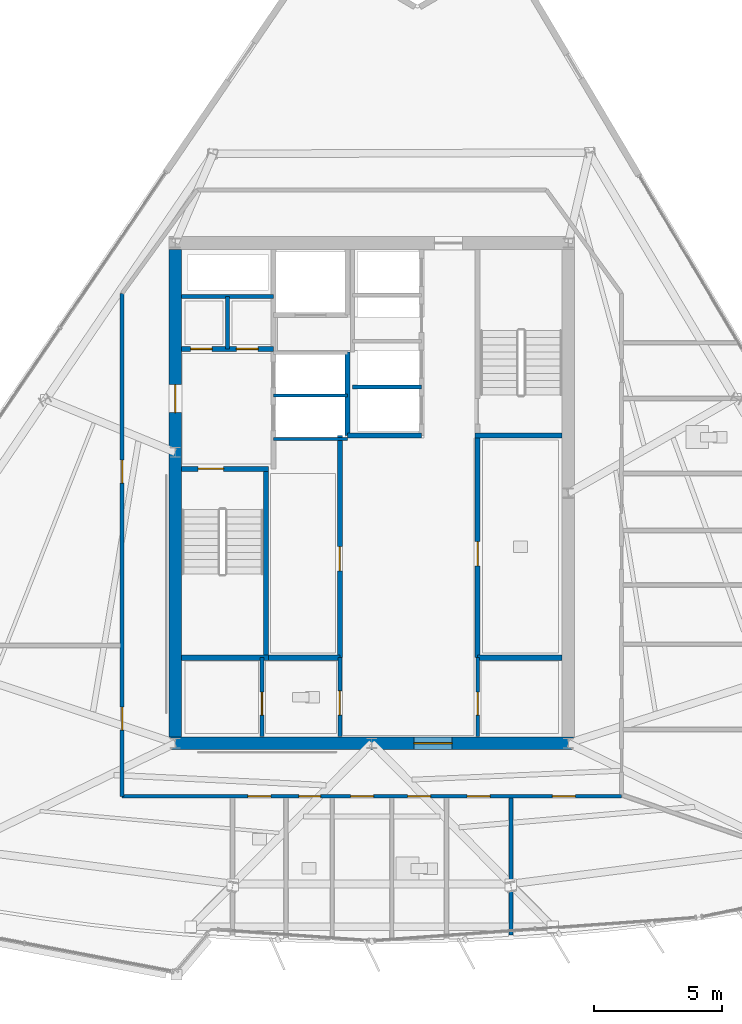
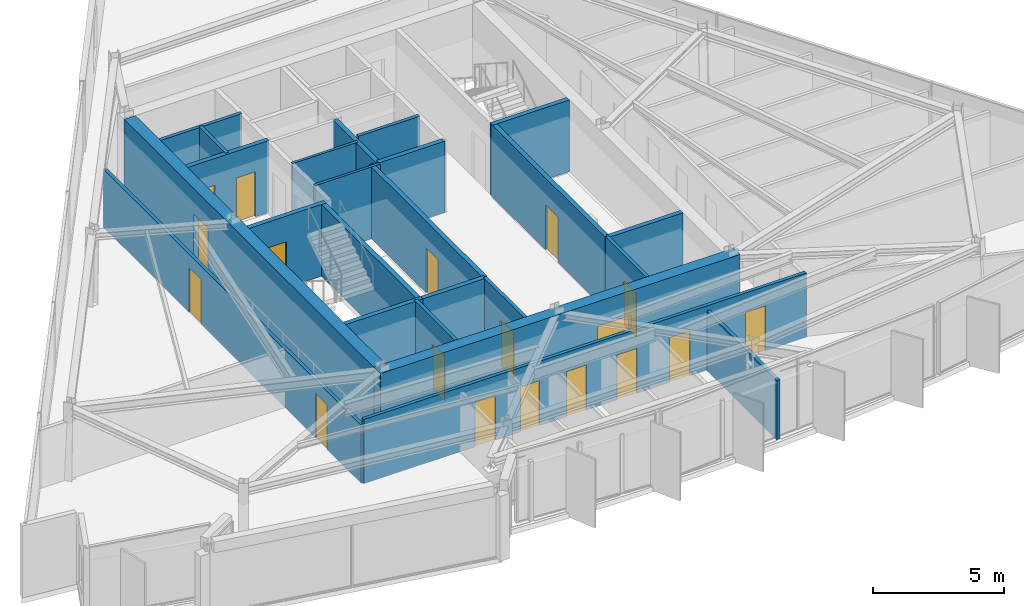
# One storey, part 7 of 14: 24 walls, 18 doors, 18 openings.
"""IFC4 building model written with IfcOpenShell, lengths in metres."""

import ifcopenshell
import ifcopenshell.guid

model = None  # the IFC model being written
_history = None  # IfcOwnerHistory: only IFC2X3 demands one
_inside = {}  # id of a spatial element -> (the spatial element, [elements in it])
_under = {}  # id of a project, library or spatial element -> (it, [spatial elements below it])
_declared = {}  # id of a project -> (the project, [libraries it declares])
_typed = {}  # id of a type object -> (the type object, [elements of that type])
_made_of = {}  # id of a material, layer set ... -> (it, [elements and type objects made of it])


def new_model(schema):
    """Start an empty IFC model of exactly this schema.

    Asked for "IFC4X3", IfcOpenShell would pick the latest addendum, in which some entities
    have other attributes; the version numbers below select the first issue.
    IFC2X3 requires an IfcOwnerHistory on every rooted entity: one is made here for all.
    """
    global model, _history
    if schema == "IFC4X3":
        model = ifcopenshell.file(schema_version=(4, 3, 0, 0))
    else:
        model = ifcopenshell.file(schema=schema)
    _inside.clear()
    _under.clear()
    _declared.clear()
    _typed.clear()
    _made_of.clear()
    _history = None
    if model.schema == "IFC2X3":
        org = make("IfcOrganization", Name="unknown")
        user = make(
            "IfcPersonAndOrganization",
            ThePerson=make("IfcPerson", FamilyName="unknown"),
            TheOrganization=org,
        )
        app = make(
            "IfcApplication",
            ApplicationDeveloper=org,
            Version="unknown",
            ApplicationFullName="unknown",
            ApplicationIdentifier="unknown",
        )
        _history = make(
            "IfcOwnerHistory",
            OwningUser=user,
            OwningApplication=app,
            ChangeAction="ADDED",
            CreationDate=0,
        )
    return model


def make(cls, **values):
    """One entity of the class cls with the attributes given. An attribute that is None is left unset."""
    return model.create_entity(
        cls, **{name: value for name, value in values.items() if value is not None}
    )


def rooted(cls, **values):
    """An entity with a GlobalId (a new one), such as an element, a storey or a relation."""
    return make(cls, GlobalId=ifcopenshell.guid.new(), OwnerHistory=_history, **values)


def si_unit(unit_type, name, prefix=None):
    """IfcSIUnit, for example si_unit("LENGTHUNIT", "METRE", prefix="MILLI")."""
    return make("IfcSIUnit", UnitType=unit_type, Prefix=prefix, Name=name)


def assignment(units):
    """IfcUnitAssignment: the units of a project."""
    return None if units is None else make("IfcUnitAssignment", Units=units)


def point(xyz):
    """IfcCartesianPoint."""
    return None if xyz is None else make("IfcCartesianPoint", Coordinates=xyz)


def direction(xyz):
    """IfcDirection."""
    return None if xyz is None else make("IfcDirection", DirectionRatios=xyz)


def frame(location, z_axis=None, x_axis=None):
    """IfcAxis2Placement3D, a coordinate frame: its origin and axes. An axis left out is left unset."""
    return make(
        "IfcAxis2Placement3D",
        Location=point(location),
        Axis=direction(z_axis),
        RefDirection=direction(x_axis),
    )


def frame_2d(location, x_axis=None):
    """IfcAxis2Placement2D, a coordinate frame in the plane: its origin and x axis."""
    return make(
        "IfcAxis2Placement2D", Location=point(location), RefDirection=direction(x_axis)
    )


def origin():
    """The frame at (0, 0, 0) with its axes left unset."""
    return frame((0.0, 0.0, 0.0))


def place(relative_to, where):
    """IfcLocalPlacement: puts the frame where relative to a parent placement (None: the world)."""
    return make(
        "IfcLocalPlacement", PlacementRelTo=relative_to, RelativePlacement=where
    )


def context(
    kind, dimensions, precision=None, world=None, true_north=None, identifier=None
):
    """IfcGeometricRepresentationContext, for example the 3D "Model" context."""
    return make(
        "IfcGeometricRepresentationContext",
        ContextIdentifier=identifier,
        ContextType=kind,
        CoordinateSpaceDimension=dimensions,
        Precision=precision,
        WorldCoordinateSystem=world,
        TrueNorth=true_north,
    )


def subcontext(parent, identifier, kind, view, scale=None):
    """IfcGeometricRepresentationSubContext, for example "Body" below "Model"."""
    return make(
        "IfcGeometricRepresentationSubContext",
        ContextIdentifier=identifier,
        ContextType=kind,
        ParentContext=parent,
        TargetScale=scale,
        TargetView=view,
    )


def project(units=None, contexts=None):
    """IfcProject with its units and contexts."""
    return rooted(
        "IfcProject",
        Name="project",
        RepresentationContexts=contexts,
        UnitsInContext=assignment(units),
    )


def spatial(cls, under=None, at=None, **own):
    """A site, building, storey or space (cls), placed at a placement, below another one or the project."""
    s = rooted(cls, ObjectPlacement=at, **own)
    if under is not None:
        _under.setdefault(under.id(), (under, []))[1].append(s)
    return s


def profile(cls, at=None, kind="AREA", **sizes):
    """A parametric profile (cls). Its sizes go by their IFC names, for example OverallWidth=200.0."""
    return make(cls, ProfileType=kind, Position=at, **sizes)


def rectangle(**sizes):
    """IfcRectangleProfileDef."""
    return profile("IfcRectangleProfileDef", **sizes)


def extrude(swept, where, along, depth):
    """IfcExtrudedAreaSolid: the profile swept, set in the frame where, extruded along a direction by depth."""
    return make(
        "IfcExtrudedAreaSolid",
        SweptArea=swept,
        Position=where,
        ExtrudedDirection=direction(along),
        Depth=depth,
    )


def shape(context_of_items, identifier, shape_type, items):
    """IfcShapeRepresentation: the items that make up one representation, for example the "Body"."""
    return make(
        "IfcShapeRepresentation",
        ContextOfItems=context_of_items,
        RepresentationIdentifier=identifier,
        RepresentationType=shape_type,
        Items=items,
    )


def material(Name=None, Category=None):
    """IfcMaterial."""
    return make("IfcMaterial", Name=Name, Category=Category)


def layer(
    of_material, thickness, ventilated=None, Name=None, Category=None, Priority=None
):
    """IfcMaterialLayer: one layer of a wall or slab, of a material (None: an air gap)."""
    return make(
        "IfcMaterialLayer",
        Material=of_material,
        LayerThickness=thickness,
        IsVentilated=ventilated,
        Name=Name,
        Category=Category,
        Priority=Priority,
    )


def layer_set(layers, Name=None):
    """IfcMaterialLayerSet."""
    return make("IfcMaterialLayerSet", MaterialLayers=layers, LayerSetName=Name)


def made_of(thing, what):
    """Note that an element or type object is made of a material, layer set ...; save() writes the relation."""
    if what is not None:
        _made_of.setdefault(what.id(), (what, []))[1].append(thing)
    return thing


def type_object(cls, material=None, **own):
    """A type object (cls), such as IfcWallType, which elements share."""
    return made_of(rooted(cls, **own), material)


def element(
    cls,
    number,
    at=None,
    inside=None,
    cuts=None,
    type_object=None,
    material=None,
    context=None,
    identifier="Body",
    shape_type=None,
    held_by="IfcProductDefinitionShape",
    body=None,
    shapes=None,
    **own,
):
    """One element of the class cls, such as IfcWall. Its Tag is "e" and its number.

    at: its placement. inside: the storey or other place that contains it. cuts: it is an
    opening in that element (IfcRelVoidsElement). A single representation is given by context,
    identifier, shape_type and body (its items); several are given by shapes. held_by: the class
    of the entity that holds the representations. save() writes the other relations.
    """
    e = rooted(cls, Tag="e%d" % number, ObjectPlacement=at, **own)
    if body is not None:
        shapes = [shape(context, identifier, shape_type, body)]
    if shapes is not None:
        e.Representation = make(held_by, Representations=shapes)
    if inside is not None:
        _inside.setdefault(inside.id(), (inside, []))[1].append(e)
    if cuts is not None:
        rooted(
            "IfcRelVoidsElement", RelatingBuildingElement=cuts, RelatedOpeningElement=e
        )
    if type_object is not None:
        _typed.setdefault(type_object.id(), (type_object, []))[1].append(e)
    return made_of(e, material)


def fill(opening, filler):
    """IfcRelFillsElement: the door or window that sits in an opening."""
    return rooted(
        "IfcRelFillsElement",
        RelatingOpeningElement=opening,
        RelatedBuildingElement=filler,
    )


def aggregate(whole, parts):
    """IfcRelAggregates: a whole, such as a stair, and the parts it consists of."""
    return rooted("IfcRelAggregates", RelatingObject=whole, RelatedObjects=parts)


def save(model, path):
    """Write the relations noted so far, then the file.

    IfcRelAggregates (storeys below a building ...), IfcRelContainedInSpatialStructure (elements
    in a storey), IfcRelDefinesByType, IfcRelAssociatesMaterial and IfcRelDeclares: one each for
    every whole, place, type object, material and project.
    """
    for whole, parts in _under.values():
        aggregate(whole, parts)
    for where, things in _inside.values():
        rooted(
            "IfcRelContainedInSpatialStructure",
            RelatedElements=things,
            RelatingStructure=where,
        )
    for kind, things in _typed.values():
        rooted("IfcRelDefinesByType", RelatedObjects=things, RelatingType=kind)
    for what, things in _made_of.values():
        rooted("IfcRelAssociatesMaterial", RelatedObjects=things, RelatingMaterial=what)
    for by, libraries in _declared.values():
        rooted("IfcRelDeclares", RelatingContext=by, RelatedDefinitions=libraries)
    model.write(path)


model = new_model("IFC4")

# Units and contexts
model_context = context("Model", 3, precision=1e-05, world=origin(), true_north=direction((0.0, 1.0)))
body_context = subcontext(model_context, "Body", "Model", "MODEL_VIEW")
ifc_project = project(units=[si_unit("LENGTHUNIT", "METRE"), si_unit("AREAUNIT", "SQUARE_METRE"), si_unit("VOLUMEUNIT", "CUBIC_METRE"), si_unit("PLANEANGLEUNIT", "RADIAN"), si_unit("MASSUNIT", "GRAM", prefix="KILO")], contexts=[model_context])

# Site, building, storey
site_placement = place(None, origin())
site = spatial("IfcSite", under=ifc_project, at=site_placement, CompositionType="ELEMENT")
building_placement = place(site_placement, origin())
building = spatial("IfcBuilding", under=site, at=building_placement, Name="Savorim Split Tower", CompositionType="ELEMENT")
storey_placement = place(building_placement, frame((0.0, 0.0, 230.699951171875)))
storey = spatial("IfcBuildingStorey", under=building, at=storey_placement, Name="L61", CompositionType="ELEMENT", Elevation=230.699951171875)

# Wall, opening, door
ifc_material_1 = material(Name="Concrete C60/75", Category="concrete")
ifc_layer_1 = layer(ifc_material_1, 0.5)
ifc_layer_set_1 = layer_set([ifc_layer_1], Name="WAL-COR-SH500")
wall_type_1 = type_object("IfcWallType", Name="WAL-COR-SH500", PredefinedType="SHEAR", material=ifc_layer_set_1)
wall_1_placement = place(storey_placement, frame((-7.949951171875, -9.39990234375, 0.0), z_axis=(0.0, 0.0, 1.0), x_axis=(1.0, 0.0, 0.0)))
wall_1 = element("IfcWall", 1, at=wall_1_placement, inside=storey, type_object=wall_type_1, Name="L61 Offset Core South Shear Wall", PredefinedType="SHEAR", context=body_context, shape_type="SweptSolid", body=[
    extrude(rectangle(XDim=15.89990234375, YDim=0.5, at=frame_2d((7.949951171875, 0.0))), origin(), (0.0, 0.0, 1.0), 3.35009765625),
])
opening_1_placement = place(wall_1_placement, frame((9.60009765625, 0.0, 0.0)))
opening_1 = element("IfcOpeningElement", 2, at=opening_1_placement, cuts=wall_1, Name="Opening DI-02", PredefinedType="OPENING", context=body_context, shape_type="SweptSolid", body=[
    extrude(rectangle(XDim=1.5, YDim=2.199951171875, at=frame_2d((0.75, 1.10009765625))), frame((0.0, 0.260009765625, 0.0), z_axis=(0.0, -1.0, 0.0), x_axis=(1.0, 0.0, 0.0)), (0.0, 0.0, 1.0), 0.52001953125),
])
ifc_material_2 = material(Name="Timber Fire Door Leaf", Category="wood")
door_type_1 = type_object("IfcDoorType", Name="DOR-DBL-1500", OperationType="NOTDEFINED", PredefinedType="DOOR", material=ifc_material_2)
door_1_placement = place(opening_1_placement, origin())
door_1 = element("IfcDoor", 3, at=door_1_placement, inside=storey, type_object=door_type_1, Name="DOR-L61-COR-LLOB - L61 Lift Lobby Main Rated Door", OperationType="DOUBLE_DOOR_SINGLE_SWING", OverallHeight=2.199951171875, OverallWidth=1.5, PredefinedType="DOOR", context=body_context, shape_type="SweptSolid", body=[
    extrude(rectangle(XDim=1.5, YDim=2.199951171875, at=frame_2d((0.75, 1.10009765625))), frame((0.0, 0.02490234375, 0.0), z_axis=(0.0, -1.0, 0.0), x_axis=(1.0, 0.0, 0.0)), (0.0, 0.0, 1.0), 0.050048828125),
])
fill(opening_1, door_1)

wall_2_placement = place(storey_placement, frame((-7.699951171875, -9.14990234375, 0.0), z_axis=(0.0, 0.0, 1.0), x_axis=(0.0, 1.0, 0.0)))
wall_2 = element("IfcWall", 4, at=wall_2_placement, inside=storey, type_object=wall_type_1, Name="L61 Offset Core West Shear Wall", PredefinedType="SHEAR", context=body_context, shape_type="SweptSolid", body=[
    extrude(rectangle(XDim=19.099853515625, YDim=0.5, at=frame_2d((9.5498046875, 0.0))), origin(), (0.0, 0.0, 1.0), 3.35009765625),
])
opening_2_placement = place(wall_2_placement, frame((12.699951171875, 0.0, 0.0)))
opening_2 = element("IfcOpeningElement", 5, at=opening_2_placement, cuts=wall_2, Name="Opening DI-03", PredefinedType="OPENING", context=body_context, shape_type="SweptSolid", body=[
    extrude(rectangle(XDim=1.10009765625, YDim=2.14990234375, at=frame_2d((0.550048828125, 1.074951171875))), frame((0.0, 0.260009765625, 0.0), z_axis=(0.0, -1.0, 0.0), x_axis=(1.0, 0.0, 0.0)), (0.0, 0.0, 1.0), 0.52001953125),
])
door_type_2 = type_object("IfcDoorType", Name="DOR-FIR-1100", OperationType="NOTDEFINED", PredefinedType="DOOR", material=ifc_material_2)
door_2_placement = place(opening_2_placement, origin())
door_2 = element("IfcDoor", 6, at=door_2_placement, inside=storey, type_object=door_type_2, Name="DOR-L61-COR-FFLOB - L61 Firefighting Lobby Corridor Door", OperationType="SINGLE_SWING_LEFT", OverallHeight=2.14990234375, OverallWidth=1.10009765625, PredefinedType="DOOR", context=body_context, shape_type="SweptSolid", body=[
    extrude(rectangle(XDim=1.10009765625, YDim=2.14990234375, at=frame_2d((0.550048828125, 1.074951171875))), frame((0.0, 0.02490234375, 0.0), z_axis=(0.0, -1.0, 0.0), x_axis=(1.0, 0.0, 0.0)), (0.0, 0.0, 1.0), 0.050048828125),
])
fill(opening_2, door_2)

ifc_material_3 = material(Name="Concrete C50/60", Category="concrete")
ifc_layer_2 = layer(ifc_material_3, 0.199951171875)
ifc_layer_set_2 = layer_set([ifc_layer_2], Name="WAL-INT-RC200")
wall_type_2 = type_object("IfcWallType", Name="WAL-INT-RC200", PredefinedType="SOLIDWALL", material=ifc_layer_set_2)
wall_3_placement = place(storey_placement, frame((-7.449951171875, 1.35009765625, 0.0), z_axis=(0.0, 0.0, 1.0), x_axis=(1.0, 0.0, 0.0)))
wall_3 = element("IfcWall", 7, at=wall_3_placement, inside=storey, type_object=wall_type_2, Name="L61 Structural Shaft Wall W-L61-CR01", PredefinedType="SOLIDWALL", context=body_context, shape_type="SweptSolid", body=[
    extrude(rectangle(XDim=3.39990234375, YDim=0.199951171875, at=frame_2d((1.699951171875, 0.0))), origin(), (0.0, 0.0, 1.0), 3.35009765625),
])
opening_3_placement = place(wall_3_placement, frame((0.64990234375, 0.0, 0.0)))
opening_3 = element("IfcOpeningElement", 8, at=opening_3_placement, cuts=wall_3, Name="Opening DI-04", PredefinedType="OPENING", context=body_context, shape_type="SweptSolid", body=[
    extrude(rectangle(XDim=1.0, YDim=2.14990234375, at=frame_2d((0.5, 1.074951171875))), frame((0.0, 0.10986328125, 0.0), z_axis=(0.0, -1.0, 0.0), x_axis=(1.0, 0.0, 0.0)), (0.0, 0.0, 1.0), 0.219970703125),
])
door_type_3 = type_object("IfcDoorType", Name="DOR-FIR-1000", OperationType="NOTDEFINED", PredefinedType="DOOR", material=ifc_material_2)
door_3_placement = place(opening_3_placement, origin())
door_3 = element("IfcDoor", 9, at=door_3_placement, inside=storey, type_object=door_type_3, Name="DR-L61-ST1 - L61 Stair ST-1 Enclosure Door", OperationType="SINGLE_SWING_LEFT", OverallHeight=2.14990234375, OverallWidth=1.0, PredefinedType="DOOR", context=body_context, shape_type="SweptSolid", body=[
    extrude(rectangle(XDim=1.0, YDim=2.14990234375, at=frame_2d((0.5, 1.074951171875))), frame((0.0, 0.02490234375, 0.0), z_axis=(0.0, -1.0, 0.0), x_axis=(1.0, 0.0, 0.0)), (0.0, 0.0, 1.0), 0.050048828125),
])
fill(opening_3, door_3)

# Wall
wall_4_placement = place(storey_placement, frame((-4.14990234375, -5.949951171875, 0.0), z_axis=(0.0, 0.0, 1.0), x_axis=(0.0, 1.0, 0.0)))
element("IfcWall", 10, at=wall_4_placement, inside=storey, type_object=wall_type_2, Name="L61 Structural Shaft Wall W-L61-CR02", PredefinedType="SOLIDWALL", context=body_context, shape_type="SweptSolid", body=[
    extrude(rectangle(XDim=7.199951171875, YDim=0.199951171875, at=frame_2d((3.60009765625, 0.0))), origin(), (0.0, 0.0, 1.0), 3.35009765625),
])

# Wall, openings, doors
wall_5_placement = place(storey_placement, frame((-7.445068359375, 6.050048828125, 0.0), z_axis=(0.0, 0.0, 1.0), x_axis=(1.0, 0.0, 0.0)))
wall_5 = element("IfcWall", 11, at=wall_5_placement, inside=storey, type_object=wall_type_2, Name="L61 Partition W-L61-CR04", PredefinedType="SOLIDWALL", context=body_context, shape_type="SweptSolid", body=[
    extrude(rectangle(XDim=3.594970703125, YDim=0.199951171875, at=frame_2d((1.79736328125, 0.0))), origin(), (0.0, 0.0, 1.0), 3.35009765625),
])
opening_4_placement = place(wall_5_placement, frame((0.344970703125, 0.0, 0.0)))
opening_4 = element("IfcOpeningElement", 12, at=opening_4_placement, cuts=wall_5, Name="Opening DI-12", PredefinedType="OPENING", context=body_context, shape_type="SweptSolid", body=[
    extrude(rectangle(XDim=0.85009765625, YDim=2.10009765625, at=frame_2d((0.425048828125, 1.050048828125))), frame((0.0, 0.10986328125, 0.0), z_axis=(0.0, -1.0, 0.0), x_axis=(1.0, 0.0, 0.0)), (0.0, 0.0, 1.0), 0.219970703125),
])
opening_5_placement = place(wall_5_placement, frame((2.14501953125, 0.0, 0.0)))
opening_5 = element("IfcOpeningElement", 13, at=opening_5_placement, cuts=wall_5, Name="Opening DI-12", PredefinedType="OPENING", context=body_context, shape_type="SweptSolid", body=[
    extrude(rectangle(XDim=0.85009765625, YDim=2.10009765625, at=frame_2d((0.425048828125, 1.050048828125))), frame((0.0, 0.10986328125, 0.0), z_axis=(0.0, -1.0, 0.0), x_axis=(1.0, 0.0, 0.0)), (0.0, 0.0, 1.0), 0.219970703125),
])
ifc_material_4 = material(Name="Galvanised Painted Steel Balustrade", Category="steel")
door_type_4 = type_object("IfcDoorType", Name="DOR-RIS-850", OperationType="NOTDEFINED", PredefinedType="DOOR", material=ifc_material_4)
door_4_placement = place(opening_4_placement, origin())
door_4 = element("IfcDoor", 14, at=door_4_placement, inside=storey, type_object=door_type_4, Name="DR-L61-ELR - L61 Electrical Riser Access Door", OperationType="SINGLE_SWING_RIGHT", OverallHeight=2.10009765625, OverallWidth=0.85009765625, PredefinedType="DOOR", context=body_context, shape_type="SweptSolid", body=[
    extrude(rectangle(XDim=0.85009765625, YDim=2.10009765625, at=frame_2d((0.425048828125, 1.050048828125))), frame((0.0, 0.02490234375, 0.0), z_axis=(0.0, -1.0, 0.0), x_axis=(1.0, 0.0, 0.0)), (0.0, 0.0, 1.0), 0.050048828125),
])
fill(opening_4, door_4)
door_5_placement = place(opening_5_placement, origin())
door_5 = element("IfcDoor", 15, at=door_5_placement, inside=storey, type_object=door_type_4, Name="DR-L61-TLR - L61 Telecom Riser Access Door", OperationType="SINGLE_SWING_LEFT", OverallHeight=2.10009765625, OverallWidth=0.85009765625, PredefinedType="DOOR", context=body_context, shape_type="SweptSolid", body=[
    extrude(rectangle(XDim=0.85009765625, YDim=2.10009765625, at=frame_2d((0.425048828125, 1.050048828125))), frame((0.0, 0.02490234375, 0.0), z_axis=(0.0, -1.0, 0.0), x_axis=(1.0, 0.0, 0.0)), (0.0, 0.0, 1.0), 0.050048828125),
])
fill(opening_5, door_5)

# Walls
wall_6_placement = place(storey_placement, frame((4.050048828125, 2.64990234375, 0.0), z_axis=(0.0, 0.0, 1.0), x_axis=(1.0, 0.0, 0.0)))
element("IfcWall", 16, at=wall_6_placement, inside=storey, type_object=wall_type_2, Name="L61 Structural Shaft Wall W-L61-CR08", PredefinedType="SOLIDWALL", context=body_context, shape_type="SweptSolid", body=[
    extrude(rectangle(XDim=3.39990234375, YDim=0.199951171875, at=frame_2d((1.699951171875, 0.0))), origin(), (0.0, 0.0, 1.0), 3.35009765625),
])
wall_7_placement = place(storey_placement, frame((-0.949951171875, 2.64990234375, 0.0), z_axis=(0.0, 0.0, 1.0), x_axis=(0.0, 1.0, 0.0)))
element("IfcWall", 17, at=wall_7_placement, inside=storey, type_object=wall_type_2, Name="L61 Partition W-L61-FFLW", PredefinedType="SOLIDWALL", context=body_context, shape_type="SweptSolid", body=[
    extrude(rectangle(XDim=3.27001953125, YDim=0.199951171875, at=frame_2d((1.635009765625, 0.0))), origin(), (0.0, 0.0, 1.0), 3.35009765625),
])

# Wall, opening, door
wall_8_placement = place(storey_placement, frame((4.14990234375, -6.050048828125, 0.0), z_axis=(0.0, 0.0, 1.0), x_axis=(0.0, 1.0, 0.0)))
wall_8 = element("IfcWall", 18, at=wall_8_placement, inside=storey, type_object=wall_type_2, Name="L61 Partition W-L61-B1FRONT", PredefinedType="SOLIDWALL", context=body_context, shape_type="SweptSolid", body=[
    extrude(rectangle(XDim=8.699951171875, YDim=0.199951171875, at=frame_2d((4.35009765625, 0.0))), origin(), (0.0, 0.0, 1.0), 3.35009765625),
])
opening_6_placement = place(wall_8_placement, frame((3.60009765625, 0.0, 0.0)))
opening_6 = element("IfcOpeningElement", 19, at=opening_6_placement, cuts=wall_8, Name="Opening DI-05", PredefinedType="OPENING", context=body_context, shape_type="SweptSolid", body=[
    extrude(rectangle(XDim=0.949951171875, YDim=2.10009765625, at=frame_2d((0.47509765625, 1.050048828125))), frame((0.0, 0.10986328125, 0.0), z_axis=(0.0, -1.0, 0.0), x_axis=(1.0, 0.0, 0.0)), (0.0, 0.0, 1.0), 0.219970703125),
])
door_type_5 = type_object("IfcDoorType", Name="DOR-FIR-950", OperationType="NOTDEFINED", PredefinedType="DOOR", material=ifc_material_2)
door_6_placement = place(opening_6_placement, origin())
door_6 = element("IfcDoor", 20, at=door_6_placement, inside=storey, type_object=door_type_5, Name="DR-L61-LV7B1 - L61 Community Laundry Room Door", OperationType="SINGLE_SWING_RIGHT", OverallHeight=2.10009765625, OverallWidth=0.949951171875, PredefinedType="DOOR", context=body_context, shape_type="SweptSolid", body=[
    extrude(rectangle(XDim=0.949951171875, YDim=2.10009765625, at=frame_2d((0.47509765625, 1.050048828125))), frame((0.0, 0.02490234375, 0.0), z_axis=(0.0, -1.0, 0.0), x_axis=(1.0, 0.0, 0.0)), (0.0, 0.0, 1.0), 0.050048828125),
])
fill(opening_6, door_6)

wall_9_placement = place(storey_placement, frame((-1.25, -6.050048828125, 0.0), z_axis=(0.0, 0.0, 1.0), x_axis=(0.0, 1.0, 0.0)))
wall_9 = element("IfcWall", 21, at=wall_9_placement, inside=storey, type_object=wall_type_2, Name="L61 Partition W-L61-B2FRONT", PredefinedType="SOLIDWALL", context=body_context, shape_type="SweptSolid", body=[
    extrude(rectangle(XDim=8.699951171875, YDim=0.199951171875, at=frame_2d((4.35009765625, 0.0))), origin(), (0.0, 0.0, 1.0), 3.35009765625),
])
opening_7_placement = place(wall_9_placement, frame((3.39990234375, 0.0, 0.0)))
opening_7 = element("IfcOpeningElement", 22, at=opening_7_placement, cuts=wall_9, Name="Opening DI-05", PredefinedType="OPENING", context=body_context, shape_type="SweptSolid", body=[
    extrude(rectangle(XDim=0.949951171875, YDim=2.10009765625, at=frame_2d((0.47509765625, 1.050048828125))), frame((0.0, 0.10986328125, 0.0), z_axis=(0.0, -1.0, 0.0), x_axis=(1.0, 0.0, 0.0)), (0.0, 0.0, 1.0), 0.219970703125),
])
door_7_placement = place(opening_7_placement, origin())
door_7 = element("IfcDoor", 23, at=door_7_placement, inside=storey, type_object=door_type_5, Name="DR-L61-LV7B2 - L61 Quiet Study Room Door", OperationType="SINGLE_SWING_LEFT", OverallHeight=2.10009765625, OverallWidth=0.949951171875, PredefinedType="DOOR", context=body_context, shape_type="SweptSolid", body=[
    extrude(rectangle(XDim=0.949951171875, YDim=2.10009765625, at=frame_2d((0.47509765625, 1.050048828125))), frame((0.0, 0.02490234375, 0.0), z_axis=(0.0, -1.0, 0.0), x_axis=(1.0, 0.0, 0.0)), (0.0, 0.0, 1.0), 0.050048828125),
])
fill(opening_7, door_7)

# Walls
wall_10_placement = place(storey_placement, frame((-0.949951171875, 2.64990234375, 0.0), z_axis=(0.0, 0.0, 1.0), x_axis=(1.0, 0.0, 0.0)))
element("IfcWall", 24, at=wall_10_placement, inside=storey, type_object=wall_type_2, Name="L61 Partition W-L61-B3SOUTH", PredefinedType="SOLIDWALL", context=body_context, shape_type="SweptSolid", body=[
    extrude(rectangle(XDim=2.89990234375, YDim=0.199951171875, at=frame_2d((1.449951171875, 0.0))), origin(), (0.0, 0.0, 1.0), 3.35009765625),
])
wall_11_placement = place(storey_placement, frame((-7.449951171875, -6.050048828125, 0.0), z_axis=(0.0, 0.0, 1.0), x_axis=(1.0, 0.0, 0.0)))
element("IfcWall", 25, at=wall_11_placement, inside=storey, type_object=wall_type_2, Name="L61 Structural Shaft Wall W-L61-KSEP-W", PredefinedType="SOLIDWALL", context=body_context, shape_type="SweptSolid", body=[
    extrude(rectangle(XDim=3.39990234375, YDim=0.199951171875, at=frame_2d((1.699951171875, 0.0))), origin(), (0.0, 0.0, 1.0), 3.35009765625),
])
wall_12_placement = place(storey_placement, frame((-4.0400390625, -6.050048828125, 0.0), z_axis=(0.0, 0.0, 1.0), x_axis=(1.0, 0.0, 0.0)))
element("IfcWall", 26, at=wall_12_placement, inside=storey, type_object=wall_type_2, Name="L61 Partition W-L61-KSEP-W2", PredefinedType="SOLIDWALL", context=body_context, shape_type="SweptSolid", body=[
    extrude(rectangle(XDim=2.7900390625, YDim=0.199951171875, at=frame_2d((1.39501953125, 0.0))), origin(), (0.0, 0.0, 1.0), 3.35009765625),
])
wall_13_placement = place(storey_placement, frame((4.14990234375, -6.050048828125, 0.0), z_axis=(0.0, 0.0, 1.0), x_axis=(1.0, 0.0, 0.0)))
element("IfcWall", 27, at=wall_13_placement, inside=storey, type_object=wall_type_2, Name="L61 Partition W-L61-KSEP-E", PredefinedType="SOLIDWALL", context=body_context, shape_type="SweptSolid", body=[
    extrude(rectangle(XDim=3.295166015625, YDim=0.199951171875, at=frame_2d((1.6474609375, 0.0))), origin(), (0.0, 0.0, 1.0), 3.35009765625),
])
ifc_material_5 = material(Name="Acoustic Gypsum Partition Board")
ifc_layer_3 = layer(ifc_material_5, 0.1201171875)
ifc_layer_set_3 = layer_set([ifc_layer_3], Name="WAL-PAR-120")
wall_type_3 = type_object("IfcWallType", Name="WAL-PAR-120", PredefinedType="PARTITIONING", material=ifc_layer_set_3)
for number, where, z_axis, x_axis, name in (
    (28, (-3.85009765625, 2.52001953125, 0.0), (0.0, 0.0, 1.0), (1.0, 0.0, 0.0), "L61 Partition W-L61-FFLD0"),
    (29, (-3.85009765625, 4.219970703125, 0.0), (0.0, 0.0, 1.0), (1.0, 0.0, 0.0), "L61 Partition W-L61-FFLD1"),
):
    element("IfcWall", number, at=place(storey_placement, frame(where, z_axis=z_axis, x_axis=x_axis)), inside=storey, type_object=wall_type_3, Name=name, PredefinedType="PARTITIONING", context=body_context, shape_type="SweptSolid", body=[
        extrude(rectangle(XDim=2.900146484375, YDim=0.1201171875, at=frame_2d((1.4501953125, 0.0))), origin(), (0.0, 0.0, 1.0), 3.35009765625),
    ])
ifc_layer_4 = layer(ifc_material_5, 0.14990234375)
ifc_layer_set_4 = layer_set([ifc_layer_4], Name="WAL-PAR-150")
wall_type_4 = type_object("IfcWallType", Name="WAL-PAR-150", PredefinedType="PARTITIONING", material=ifc_layer_set_4)
wall_14_placement = place(storey_placement, frame((-7.445068359375, 8.10009765625, 0.0), z_axis=(0.0, 0.0, 1.0), x_axis=(1.0, 0.0, 0.0)))
element("IfcWall", 30, at=wall_14_placement, inside=storey, type_object=wall_type_4, Name="L61 Partition W-L61-CR05", PredefinedType="PARTITIONING", context=body_context, shape_type="SweptSolid", body=[
    extrude(rectangle(XDim=3.594970703125, YDim=0.14990234375, at=frame_2d((1.79736328125, 0.0))), origin(), (0.0, 0.0, 1.0), 3.35009765625),
])
wall_15_placement = place(storey_placement, frame((-5.64990234375, 6.050048828125, 0.0), z_axis=(0.0, 0.0, 1.0), x_axis=(0.0, 1.0, 0.0)))
element("IfcWall", 31, at=wall_15_placement, inside=storey, type_object=wall_type_4, Name="L61 Partition W-L61-CR06", PredefinedType="PARTITIONING", context=body_context, shape_type="SweptSolid", body=[
    extrude(rectangle(XDim=2.050048828125, YDim=0.14990234375, at=frame_2d((1.02490234375, 0.0))), origin(), (0.0, 0.0, 1.0), 3.35009765625),
])
wall_16_placement = place(storey_placement, frame((-0.75, 4.550048828125, 0.0), z_axis=(0.0, 0.0, 1.0), x_axis=(1.0, 0.0, 0.0)))
element("IfcWall", 32, at=wall_16_placement, inside=storey, type_object=wall_type_4, Name="L61 Partition W-L61-B3DIV1", PredefinedType="PARTITIONING", context=body_context, shape_type="SweptSolid", body=[
    extrude(rectangle(XDim=2.699951171875, YDim=0.14990234375, at=frame_2d((1.35009765625, 0.0))), origin(), (0.0, 0.0, 1.0), 3.35009765625),
])

# Wall, opening, door
wall_17_placement = place(storey_placement, frame((-1.25, -9.14501953125, 0.0), z_axis=(0.0, 0.0, 1.0), x_axis=(0.0, 1.0, 0.0)))
wall_17 = element("IfcWall", 33, at=wall_17_placement, inside=storey, type_object=wall_type_4, Name="L61 Partition W-L61-KLOB-W", PredefinedType="PARTITIONING", context=body_context, shape_type="SweptSolid", body=[
    extrude(rectangle(XDim=3.094970703125, YDim=0.14990234375, at=frame_2d((1.54736328125, 0.0))), origin(), (0.0, 0.0, 1.0), 3.35009765625),
])
opening_8_placement = place(wall_17_placement, frame((0.844970703125, 0.0, 0.0)))
opening_8 = element("IfcOpeningElement", 34, at=opening_8_placement, cuts=wall_17, Name="Opening DI-10", PredefinedType="OPENING", context=body_context, shape_type="SweptSolid", body=[
    extrude(rectangle(XDim=0.949951171875, YDim=2.10009765625, at=frame_2d((0.47509765625, 1.050048828125))), frame((0.0, 0.0849609375, 0.0), z_axis=(0.0, -1.0, 0.0), x_axis=(1.0, 0.0, 0.0)), (0.0, 0.0, 1.0), 0.169921875),
])
ifc_material_6 = material(Name="Oak Veneer Acoustic Door")
door_type_6 = type_object("IfcDoorType", Name="DOR-WC-950", OperationType="NOTDEFINED", PredefinedType="DOOR", material=ifc_material_6)
door_8_placement = place(opening_8_placement, origin())
door_8 = element("IfcDoor", 35, at=door_8_placement, inside=storey, type_object=door_type_6, Name="DR-L61-K1WC - L61 Core Accessible WC Door", OperationType="SINGLE_SWING_LEFT", OverallHeight=2.10009765625, OverallWidth=0.949951171875, PredefinedType="DOOR", context=body_context, shape_type="SweptSolid", body=[
    extrude(rectangle(XDim=0.949951171875, YDim=2.10009765625, at=frame_2d((0.47509765625, 1.050048828125))), frame((0.0, 0.02490234375, 0.0), z_axis=(0.0, -1.0, 0.0), x_axis=(1.0, 0.0, 0.0)), (0.0, 0.0, 1.0), 0.050048828125),
])
fill(opening_8, door_8)

wall_18_placement = place(storey_placement, frame((4.14990234375, -9.14501953125, 0.0), z_axis=(0.0, 0.0, 1.0), x_axis=(0.0, 1.0, 0.0)))
wall_18 = element("IfcWall", 36, at=wall_18_placement, inside=storey, type_object=wall_type_4, Name="L61 Partition W-L61-KLOB-E", PredefinedType="PARTITIONING", context=body_context, shape_type="SweptSolid", body=[
    extrude(rectangle(XDim=3.094970703125, YDim=0.14990234375, at=frame_2d((1.54736328125, 0.0))), origin(), (0.0, 0.0, 1.0), 3.35009765625),
])
opening_9_placement = place(wall_18_placement, frame((0.844970703125, 0.0, 0.0)))
opening_9 = element("IfcOpeningElement", 37, at=opening_9_placement, cuts=wall_18, Name="Opening DI-06", PredefinedType="OPENING", context=body_context, shape_type="SweptSolid", body=[
    extrude(rectangle(XDim=0.89990234375, YDim=2.10009765625, at=frame_2d((0.449951171875, 1.050048828125))), frame((0.0, 0.0849609375, 0.0), z_axis=(0.0, -1.0, 0.0), x_axis=(1.0, 0.0, 0.0)), (0.0, 0.0, 1.0), 0.169921875),
])
door_type_7 = type_object("IfcDoorType", Name="DOR-FIR-900", OperationType="NOTDEFINED", PredefinedType="DOOR", material=ifc_material_2)
door_9_placement = place(opening_9_placement, origin())
door_9 = element("IfcDoor", 38, at=door_9_placement, inside=storey, type_object=door_type_7, Name="DR-L61-K1IT - L61 Core IT Room Door", OperationType="SINGLE_SWING_LEFT", OverallHeight=2.10009765625, OverallWidth=0.89990234375, PredefinedType="DOOR", context=body_context, shape_type="SweptSolid", body=[
    extrude(rectangle(XDim=0.89990234375, YDim=2.10009765625, at=frame_2d((0.449951171875, 1.050048828125))), frame((0.0, 0.02490234375, 0.0), z_axis=(0.0, -1.0, 0.0), x_axis=(1.0, 0.0, 0.0)), (0.0, 0.0, 1.0), 0.050048828125),
])
fill(opening_9, door_9)

wall_19_placement = place(storey_placement, frame((-4.300048828125, -9.14501953125, 0.0), z_axis=(0.0, 0.0, 1.0), x_axis=(0.0, 1.0, 0.0)))
wall_19 = element("IfcWall", 39, at=wall_19_placement, inside=storey, type_object=wall_type_4, Name="L61 Partition W-L61-K1W", PredefinedType="PARTITIONING", context=body_context, shape_type="SweptSolid", body=[
    extrude(rectangle(XDim=3.094970703125, YDim=0.14990234375, at=frame_2d((1.54736328125, 0.0))), origin(), (0.0, 0.0, 1.0), 3.35009765625),
])
opening_10_placement = place(wall_19_placement, frame((0.844970703125, 0.0, 0.0)))
opening_10 = element("IfcOpeningElement", 40, at=opening_10_placement, cuts=wall_19, Name="Opening DI-06", PredefinedType="OPENING", context=body_context, shape_type="SweptSolid", body=[
    extrude(rectangle(XDim=0.89990234375, YDim=2.10009765625, at=frame_2d((0.449951171875, 1.050048828125))), frame((0.0, 0.0849609375, 0.0), z_axis=(0.0, -1.0, 0.0), x_axis=(1.0, 0.0, 0.0)), (0.0, 0.0, 1.0), 0.169921875),
])
door_10_placement = place(opening_10_placement, origin())
door_10 = element("IfcDoor", 41, at=door_10_placement, inside=storey, type_object=door_type_7, Name="DR-L61-K1HK - L61 Housekeeping Store Door", OperationType="SINGLE_SWING_RIGHT", OverallHeight=2.10009765625, OverallWidth=0.89990234375, PredefinedType="DOOR", context=body_context, shape_type="SweptSolid", body=[
    extrude(rectangle(XDim=0.89990234375, YDim=2.10009765625, at=frame_2d((0.449951171875, 1.050048828125))), frame((0.0, 0.02490234375, 0.0), z_axis=(0.0, -1.0, 0.0), x_axis=(1.0, 0.0, 0.0)), (0.0, 0.0, 1.0), 0.050048828125),
])
fill(opening_10, door_10)

# Wall, openings, doors
wall_20_placement = place(storey_placement, frame((-9.780029296875, -11.47998046875, 0.0), z_axis=(0.0, 0.0, 1.0), x_axis=(0.0, 1.0, 0.0)))
wall_20 = element("IfcWall", 42, at=wall_20_placement, inside=storey, type_object=wall_type_4, Name="L61 Partition W-L61-COR-01", PredefinedType="PARTITIONING", context=body_context, shape_type="SweptSolid", body=[
    extrude(rectangle(XDim=19.705810546875, YDim=0.14990234375, at=frame_2d((9.85302734375, 0.0))), origin(), (0.0, 0.0, 1.0), 2.72509765625),
])
opening_11_placement = place(wall_20_placement, frame((2.59228515625, 0.0, 0.0)))
opening_11 = element("IfcOpeningElement", 43, at=opening_11_placement, cuts=wall_20, Name="Opening DI-06", PredefinedType="OPENING", context=body_context, shape_type="SweptSolid", body=[
    extrude(rectangle(XDim=0.89990234375, YDim=2.10009765625, at=frame_2d((0.449951171875, 1.050048828125))), frame((0.0, 0.0849609375, 0.0), z_axis=(0.0, -1.0, 0.0), x_axis=(1.0, 0.0, 0.0)), (0.0, 0.0, 1.0), 0.169921875),
])
opening_12_placement = place(wall_20_placement, frame((12.26708984375, 0.0, 0.0)))
opening_12 = element("IfcOpeningElement", 44, at=opening_12_placement, cuts=wall_20, Name="Opening DI-06", PredefinedType="OPENING", context=body_context, shape_type="SweptSolid", body=[
    extrude(rectangle(XDim=0.89990234375, YDim=2.10009765625, at=frame_2d((0.449951171875, 1.050048828125))), frame((0.0, 0.0849609375, 0.0), z_axis=(0.0, -1.0, 0.0), x_axis=(1.0, 0.0, 0.0)), (0.0, 0.0, 1.0), 0.169921875),
])
door_11_placement = place(opening_11_placement, origin())
door_11 = element("IfcDoor", 45, at=door_11_placement, inside=storey, type_object=door_type_7, Name="DR-L61-RM01 - L61 Co-Working Commons Entry Door", OperationType="SINGLE_SWING_RIGHT", OverallHeight=2.10009765625, OverallWidth=0.89990234375, PredefinedType="DOOR", context=body_context, shape_type="SweptSolid", body=[
    extrude(rectangle(XDim=0.89990234375, YDim=2.10009765625, at=frame_2d((0.449951171875, 1.050048828125))), frame((0.0, 0.02490234375, 0.0), z_axis=(0.0, -1.0, 0.0), x_axis=(1.0, 0.0, 0.0)), (0.0, 0.0, 1.0), 0.050048828125),
])
fill(opening_11, door_11)
door_12_placement = place(opening_12_placement, origin())
door_12 = element("IfcDoor", 46, at=door_12_placement, inside=storey, type_object=door_type_7, Name="DR-L61-RM15 - L61 Co-Working Commons Entry Door", OperationType="SINGLE_SWING_RIGHT", OverallHeight=2.10009765625, OverallWidth=0.89990234375, PredefinedType="DOOR", context=body_context, shape_type="SweptSolid", body=[
    extrude(rectangle(XDim=0.89990234375, YDim=2.10009765625, at=frame_2d((0.449951171875, 1.050048828125))), frame((0.0, 0.02490234375, 0.0), z_axis=(0.0, -1.0, 0.0), x_axis=(1.0, 0.0, 0.0)), (0.0, 0.0, 1.0), 0.050048828125),
])
fill(opening_12, door_12)

wall_21_placement = place(storey_placement, frame((9.780029296875, -11.47998046875, 0.0), z_axis=(0.0, 0.0, 1.0), x_axis=(-1.0, 0.0, 0.0)))
wall_21 = element("IfcWall", 47, at=wall_21_placement, inside=storey, type_object=wall_type_4, Name="L61 Partition W-L61-COR-06", PredefinedType="PARTITIONING", context=body_context, shape_type="SweptSolid", body=[
    extrude(rectangle(XDim=19.56005859375, YDim=0.14990234375, at=frame_2d((9.780029296875, 0.0))), origin(), (0.0, 0.0, 1.0), 3.005126953125),
])
opening_13_placement = place(wall_21_placement, frame((13.7373046875, 0.0, 0.0)))
opening_13 = element("IfcOpeningElement", 48, at=opening_13_placement, cuts=wall_21, Name="Opening DI-06", PredefinedType="OPENING", context=body_context, shape_type="SweptSolid", body=[
    extrude(rectangle(XDim=0.89990234375, YDim=2.10009765625, at=frame_2d((0.449951171875, 1.050048828125))), frame((0.0, 0.0849609375, 0.0), z_axis=(0.0, -1.0, 0.0), x_axis=(1.0, 0.0, 0.0)), (0.0, 0.0, 1.0), 0.169921875),
])
opening_14_placement = place(wall_21_placement, frame((11.785888671875, 0.0, 0.0)))
opening_14 = element("IfcOpeningElement", 49, at=opening_14_placement, cuts=wall_21, Name="Opening DI-13", PredefinedType="OPENING", context=body_context, shape_type="SweptSolid", body=[
    extrude(rectangle(XDim=0.85009765625, YDim=2.10009765625, at=frame_2d((0.425048828125, 1.050048828125))), frame((0.0, 0.0849609375, 0.0), z_axis=(0.0, -1.0, 0.0), x_axis=(1.0, 0.0, 0.0)), (0.0, 0.0, 1.0), 0.169921875),
])
opening_15_placement = place(wall_21_placement, frame((9.71142578125, 0.0, 0.0)))
opening_15 = element("IfcOpeningElement", 50, at=opening_15_placement, cuts=wall_21, Name="Opening DI-06", PredefinedType="OPENING", context=body_context, shape_type="SweptSolid", body=[
    extrude(rectangle(XDim=0.89990234375, YDim=2.10009765625, at=frame_2d((0.449951171875, 1.050048828125))), frame((0.0, 0.0849609375, 0.0), z_axis=(0.0, -1.0, 0.0), x_axis=(1.0, 0.0, 0.0)), (0.0, 0.0, 1.0), 0.169921875),
])
opening_16_placement = place(wall_21_placement, frame((7.47607421875, 0.0, 0.0)))
opening_16 = element("IfcOpeningElement", 51, at=opening_16_placement, cuts=wall_21, Name="Opening DI-11", PredefinedType="OPENING", context=body_context, shape_type="SweptSolid", body=[
    extrude(rectangle(XDim=0.89990234375, YDim=2.10009765625, at=frame_2d((0.449951171875, 1.050048828125))), frame((0.0, 0.0849609375, 0.0), z_axis=(0.0, -1.0, 0.0), x_axis=(1.0, 0.0, 0.0)), (0.0, 0.0, 1.0), 0.169921875),
])
opening_17_placement = place(wall_21_placement, frame((5.143310546875, 0.0, 0.0)))
opening_17 = element("IfcOpeningElement", 52, at=opening_17_placement, cuts=wall_21, Name="Opening DI-06", PredefinedType="OPENING", context=body_context, shape_type="SweptSolid", body=[
    extrude(rectangle(XDim=0.89990234375, YDim=2.10009765625, at=frame_2d((0.449951171875, 1.050048828125))), frame((0.0, 0.0849609375, 0.0), z_axis=(0.0, -1.0, 0.0), x_axis=(1.0, 0.0, 0.0)), (0.0, 0.0, 1.0), 0.169921875),
])
opening_18_placement = place(wall_21_placement, frame((1.803955078125, 0.0, 0.0)))
opening_18 = element("IfcOpeningElement", 53, at=opening_18_placement, cuts=wall_21, Name="Opening DI-06", PredefinedType="OPENING", context=body_context, shape_type="SweptSolid", body=[
    extrude(rectangle(XDim=0.89990234375, YDim=2.10009765625, at=frame_2d((0.449951171875, 1.050048828125))), frame((0.0, 0.0849609375, 0.0), z_axis=(0.0, -1.0, 0.0), x_axis=(1.0, 0.0, 0.0)), (0.0, 0.0, 1.0), 0.169921875),
])
door_type_8 = type_object("IfcDoorType", Name="DOR-FIR-850", OperationType="NOTDEFINED", PredefinedType="DOOR", material=ifc_material_2)
door_13_placement = place(opening_14_placement, origin())
door_13 = element("IfcDoor", 54, at=door_13_placement, inside=storey, type_object=door_type_8, Name="DR-L61-RM03 - L61 Shared Kitchen Entry Door", OperationType="SINGLE_SWING_RIGHT", OverallHeight=2.10009765625, OverallWidth=0.85009765625, PredefinedType="DOOR", context=body_context, shape_type="SweptSolid", body=[
    extrude(rectangle(XDim=0.85009765625, YDim=2.10009765625, at=frame_2d((0.425048828125, 1.050048828125))), frame((0.0, 0.02490234375, 0.0), z_axis=(0.0, -1.0, 0.0), x_axis=(1.0, 0.0, 0.0)), (0.0, 0.0, 1.0), 0.050048828125),
])
fill(opening_14, door_13)
door_14_placement = place(opening_13_placement, origin())
door_14 = element("IfcDoor", 55, at=door_14_placement, inside=storey, type_object=door_type_7, Name="DR-L61-RM02 - L61 Shared Kitchen Entry Door", OperationType="SINGLE_SWING_LEFT", OverallHeight=2.10009765625, OverallWidth=0.89990234375, PredefinedType="DOOR", context=body_context, shape_type="SweptSolid", body=[
    extrude(rectangle(XDim=0.89990234375, YDim=2.10009765625, at=frame_2d((0.449951171875, 1.050048828125))), frame((0.0, 0.02490234375, 0.0), z_axis=(0.0, -1.0, 0.0), x_axis=(1.0, 0.0, 0.0)), (0.0, 0.0, 1.0), 0.050048828125),
])
fill(opening_13, door_14)
door_15_placement = place(opening_15_placement, origin())
door_15 = element("IfcDoor", 56, at=door_15_placement, inside=storey, type_object=door_type_7, Name="DR-L61-RM04 - L61 Quiet Study Room Entry Door", OperationType="SINGLE_SWING_LEFT", OverallHeight=2.10009765625, OverallWidth=0.89990234375, PredefinedType="DOOR", context=body_context, shape_type="SweptSolid", body=[
    extrude(rectangle(XDim=0.89990234375, YDim=2.10009765625, at=frame_2d((0.449951171875, 1.050048828125))), frame((0.0, 0.02490234375, 0.0), z_axis=(0.0, -1.0, 0.0), x_axis=(1.0, 0.0, 0.0)), (0.0, 0.0, 1.0), 0.050048828125),
])
fill(opening_15, door_15)
door_16_placement = place(opening_17_placement, origin())
door_16 = element("IfcDoor", 57, at=door_16_placement, inside=storey, type_object=door_type_7, Name="DR-L61-RM06 - L61 Co-Living Bedroom Entry Door", OperationType="SINGLE_SWING_LEFT", OverallHeight=2.10009765625, OverallWidth=0.89990234375, PredefinedType="DOOR", context=body_context, shape_type="SweptSolid", body=[
    extrude(rectangle(XDim=0.89990234375, YDim=2.10009765625, at=frame_2d((0.449951171875, 1.050048828125))), frame((0.0, 0.02490234375, 0.0), z_axis=(0.0, -1.0, 0.0), x_axis=(1.0, 0.0, 0.0)), (0.0, 0.0, 1.0), 0.050048828125),
])
fill(opening_17, door_16)
door_17_placement = place(opening_18_placement, origin())
door_17 = element("IfcDoor", 58, at=door_17_placement, inside=storey, type_object=door_type_7, Name="DR-L61-RM07 - L61 Co-Working Commons Entry Door", OperationType="SINGLE_SWING_RIGHT", OverallHeight=2.10009765625, OverallWidth=0.89990234375, PredefinedType="DOOR", context=body_context, shape_type="SweptSolid", body=[
    extrude(rectangle(XDim=0.89990234375, YDim=2.10009765625, at=frame_2d((0.449951171875, 1.050048828125))), frame((0.0, 0.02490234375, 0.0), z_axis=(0.0, -1.0, 0.0), x_axis=(1.0, 0.0, 0.0)), (0.0, 0.0, 1.0), 0.050048828125),
])
fill(opening_18, door_17)
door_type_9 = type_object("IfcDoorType", Name="DOR-WC-900", OperationType="NOTDEFINED", PredefinedType="DOOR", material=ifc_material_6)
door_18_placement = place(opening_16_placement, origin())
door_18 = element("IfcDoor", 59, at=door_18_placement, inside=storey, type_object=door_type_9, Name="DR-L61-RM05 - L61 Shared Bathroom Entry Door", OperationType="SINGLE_SWING_RIGHT", OverallHeight=2.10009765625, OverallWidth=0.89990234375, PredefinedType="DOOR", context=body_context, shape_type="SweptSolid", body=[
    extrude(rectangle(XDim=0.89990234375, YDim=2.10009765625, at=frame_2d((0.449951171875, 1.050048828125))), frame((0.0, 0.02490234375, 0.0), z_axis=(0.0, -1.0, 0.0), x_axis=(1.0, 0.0, 0.0)), (0.0, 0.0, 1.0), 0.050048828125),
])
fill(opening_16, door_18)

# Wall
wall_22_placement = place(storey_placement, frame((5.450439453125, -11.5400390625, 0.0), z_axis=(0.0, 0.0, 1.0), x_axis=(0.0, -1.0, 0.0)))
element("IfcWall", 60, at=wall_22_placement, inside=storey, type_object=wall_type_4, Name="L61 Partition W-L61-PRAD03", PredefinedType="PARTITIONING", context=body_context, shape_type="SweptSolid", body=[
    extrude(rectangle(XDim=5.37646484375, YDim=0.14990234375, at=frame_2d((2.688232421875, 0.0))), origin(), (0.0, 0.0, 1.0), 2.775146484375),
])

save(model, "model.ifc")
